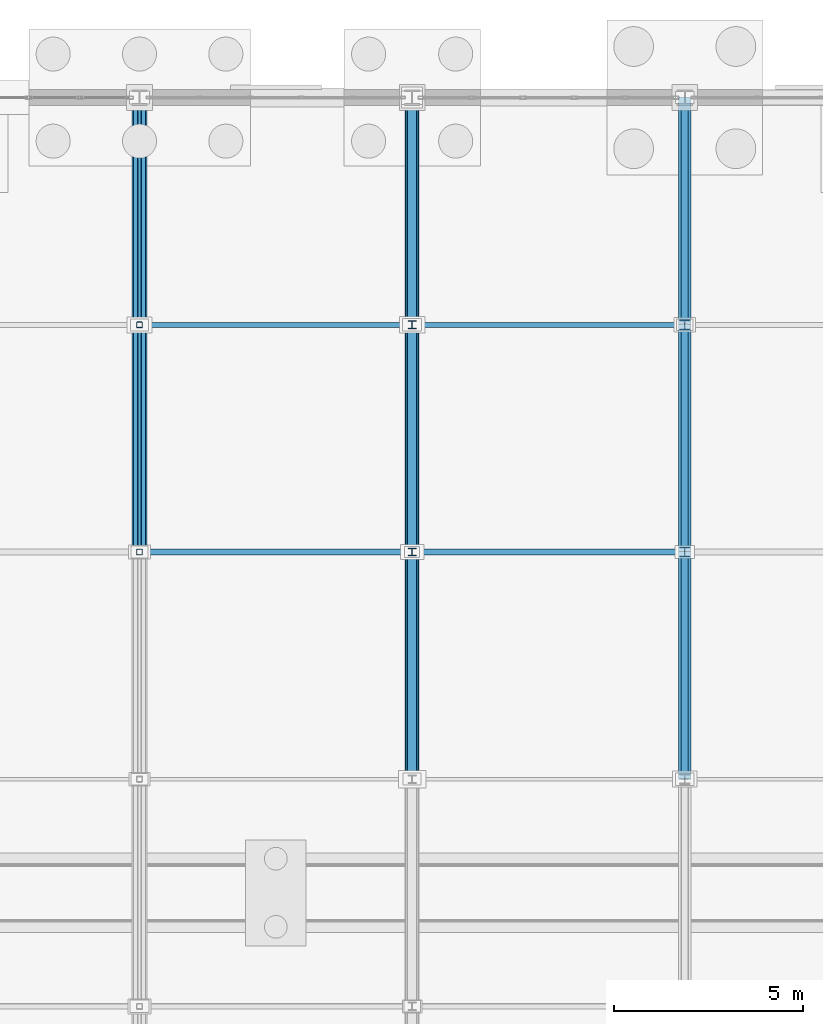
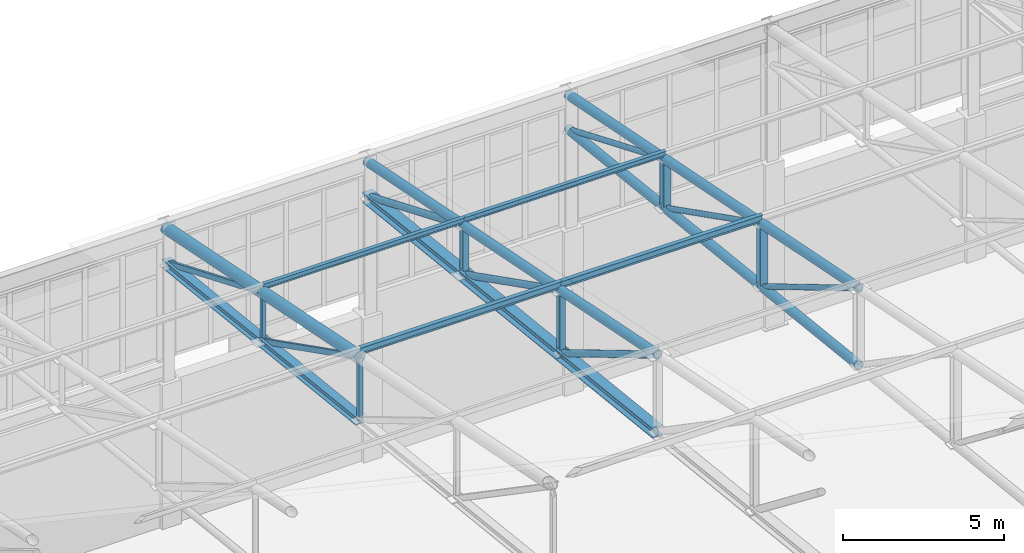
# One storey, part 206 of 293: 34 members.
"""IFC4 building model written with IfcOpenShell, lengths in metres."""

import ifcopenshell
import ifcopenshell.guid

model = None  # the IFC model being written
_history = None  # IfcOwnerHistory: only IFC2X3 demands one
_inside = {}  # id of a spatial element -> (the spatial element, [elements in it])
_under = {}  # id of a project, library or spatial element -> (it, [spatial elements below it])
_declared = {}  # id of a project -> (the project, [libraries it declares])
_typed = {}  # id of a type object -> (the type object, [elements of that type])
_made_of = {}  # id of a material, layer set ... -> (it, [elements and type objects made of it])


def new_model(schema):
    """Start an empty IFC model of exactly this schema.

    Asked for "IFC4X3", IfcOpenShell would pick the latest addendum, in which some entities
    have other attributes; the version numbers below select the first issue.
    IFC2X3 requires an IfcOwnerHistory on every rooted entity: one is made here for all.
    """
    global model, _history
    if schema == "IFC4X3":
        model = ifcopenshell.file(schema_version=(4, 3, 0, 0))
    else:
        model = ifcopenshell.file(schema=schema)
    _inside.clear()
    _under.clear()
    _declared.clear()
    _typed.clear()
    _made_of.clear()
    _history = None
    if model.schema == "IFC2X3":
        org = make("IfcOrganization", Name="unknown")
        user = make(
            "IfcPersonAndOrganization",
            ThePerson=make("IfcPerson", FamilyName="unknown"),
            TheOrganization=org,
        )
        app = make(
            "IfcApplication",
            ApplicationDeveloper=org,
            Version="unknown",
            ApplicationFullName="unknown",
            ApplicationIdentifier="unknown",
        )
        _history = make(
            "IfcOwnerHistory",
            OwningUser=user,
            OwningApplication=app,
            ChangeAction="ADDED",
            CreationDate=0,
        )
    return model


def make(cls, **values):
    """One entity of the class cls with the attributes given. An attribute that is None is left unset."""
    return model.create_entity(
        cls, **{name: value for name, value in values.items() if value is not None}
    )


def rooted(cls, **values):
    """An entity with a GlobalId (a new one), such as an element, a storey or a relation."""
    return make(cls, GlobalId=ifcopenshell.guid.new(), OwnerHistory=_history, **values)


def si_unit(unit_type, name, prefix=None):
    """IfcSIUnit, for example si_unit("LENGTHUNIT", "METRE", prefix="MILLI")."""
    return make("IfcSIUnit", UnitType=unit_type, Prefix=prefix, Name=name)


def assignment(units):
    """IfcUnitAssignment: the units of a project."""
    return None if units is None else make("IfcUnitAssignment", Units=units)


def point(xyz):
    """IfcCartesianPoint."""
    return None if xyz is None else make("IfcCartesianPoint", Coordinates=xyz)


def direction(xyz):
    """IfcDirection."""
    return None if xyz is None else make("IfcDirection", DirectionRatios=xyz)


def frame(location, z_axis=None, x_axis=None):
    """IfcAxis2Placement3D, a coordinate frame: its origin and axes. An axis left out is left unset."""
    return make(
        "IfcAxis2Placement3D",
        Location=point(location),
        Axis=direction(z_axis),
        RefDirection=direction(x_axis),
    )


def frame_2d(location, x_axis=None):
    """IfcAxis2Placement2D, a coordinate frame in the plane: its origin and x axis."""
    return make(
        "IfcAxis2Placement2D", Location=point(location), RefDirection=direction(x_axis)
    )


def origin():
    """The frame at (0, 0, 0) with its axes left unset."""
    return frame((0.0, 0.0, 0.0))


def origin_2d():
    """The frame at (0, 0) in the plane with its x axis left unset."""
    return frame_2d((0.0, 0.0))


def place(relative_to, where):
    """IfcLocalPlacement: puts the frame where relative to a parent placement (None: the world)."""
    return make(
        "IfcLocalPlacement", PlacementRelTo=relative_to, RelativePlacement=where
    )


def context(
    kind, dimensions, precision=None, world=None, true_north=None, identifier=None
):
    """IfcGeometricRepresentationContext, for example the 3D "Model" context."""
    return make(
        "IfcGeometricRepresentationContext",
        ContextIdentifier=identifier,
        ContextType=kind,
        CoordinateSpaceDimension=dimensions,
        Precision=precision,
        WorldCoordinateSystem=world,
        TrueNorth=true_north,
    )


def subcontext(parent, identifier, kind, view, scale=None):
    """IfcGeometricRepresentationSubContext, for example "Body" below "Model"."""
    return make(
        "IfcGeometricRepresentationSubContext",
        ContextIdentifier=identifier,
        ContextType=kind,
        ParentContext=parent,
        TargetScale=scale,
        TargetView=view,
    )


def project(units=None, contexts=None):
    """IfcProject with its units and contexts."""
    return rooted(
        "IfcProject",
        Name="project",
        RepresentationContexts=contexts,
        UnitsInContext=assignment(units),
    )


def spatial(cls, under=None, at=None, **own):
    """A site, building, storey or space (cls), placed at a placement, below another one or the project."""
    s = rooted(cls, ObjectPlacement=at, **own)
    if under is not None:
        _under.setdefault(under.id(), (under, []))[1].append(s)
    return s


def profile(cls, at=None, kind="AREA", **sizes):
    """A parametric profile (cls). Its sizes go by their IFC names, for example OverallWidth=200.0."""
    return make(cls, ProfileType=kind, Position=at, **sizes)


def hollow_rectangle(**sizes):
    """IfcRectangleHollowProfileDef."""
    return profile("IfcRectangleHollowProfileDef", **sizes)


def hollow_circle(**sizes):
    """IfcCircleHollowProfileDef."""
    return profile("IfcCircleHollowProfileDef", **sizes)


def i_section(**sizes):
    """IfcIShapeProfileDef."""
    return profile("IfcIShapeProfileDef", **sizes)


def extrude(swept, where, along, depth):
    """IfcExtrudedAreaSolid: the profile swept, set in the frame where, extruded along a direction by depth."""
    return make(
        "IfcExtrudedAreaSolid",
        SweptArea=swept,
        Position=where,
        ExtrudedDirection=direction(along),
        Depth=depth,
    )


def shape(context_of_items, identifier, shape_type, items):
    """IfcShapeRepresentation: the items that make up one representation, for example the "Body"."""
    return make(
        "IfcShapeRepresentation",
        ContextOfItems=context_of_items,
        RepresentationIdentifier=identifier,
        RepresentationType=shape_type,
        Items=items,
    )


def material(Name=None, Category=None):
    """IfcMaterial."""
    return make("IfcMaterial", Name=Name, Category=Category)


def material_profile(
    of_material, cross_section, Name=None, Category=None, Priority=None
):
    """IfcMaterialProfile: a cross section and its material."""
    return make(
        "IfcMaterialProfile",
        Name=Name,
        Material=of_material,
        Profile=cross_section,
        Priority=Priority,
        Category=Category,
    )


def profile_set(profiles, Name=None, composite=None):
    """IfcMaterialProfileSet."""
    return make(
        "IfcMaterialProfileSet",
        Name=Name,
        MaterialProfiles=profiles,
        CompositeProfile=composite,
    )


def made_of(thing, what):
    """Note that an element or type object is made of a material, layer set ...; save() writes the relation."""
    if what is not None:
        _made_of.setdefault(what.id(), (what, []))[1].append(thing)
    return thing


def type_object(cls, material=None, **own):
    """A type object (cls), such as IfcWallType, which elements share."""
    return made_of(rooted(cls, **own), material)


def element(
    cls,
    number,
    at=None,
    inside=None,
    cuts=None,
    type_object=None,
    material=None,
    context=None,
    identifier="Body",
    shape_type=None,
    held_by="IfcProductDefinitionShape",
    body=None,
    shapes=None,
    **own,
):
    """One element of the class cls, such as IfcWall. Its Tag is "e" and its number.

    at: its placement. inside: the storey or other place that contains it. cuts: it is an
    opening in that element (IfcRelVoidsElement). A single representation is given by context,
    identifier, shape_type and body (its items); several are given by shapes. held_by: the class
    of the entity that holds the representations. save() writes the other relations.
    """
    e = rooted(cls, Tag="e%d" % number, ObjectPlacement=at, **own)
    if body is not None:
        shapes = [shape(context, identifier, shape_type, body)]
    if shapes is not None:
        e.Representation = make(held_by, Representations=shapes)
    if inside is not None:
        _inside.setdefault(inside.id(), (inside, []))[1].append(e)
    if cuts is not None:
        rooted(
            "IfcRelVoidsElement", RelatingBuildingElement=cuts, RelatedOpeningElement=e
        )
    if type_object is not None:
        _typed.setdefault(type_object.id(), (type_object, []))[1].append(e)
    return made_of(e, material)


def aggregate(whole, parts):
    """IfcRelAggregates: a whole, such as a stair, and the parts it consists of."""
    return rooted("IfcRelAggregates", RelatingObject=whole, RelatedObjects=parts)


def save(model, path):
    """Write the relations noted so far, then the file.

    IfcRelAggregates (storeys below a building ...), IfcRelContainedInSpatialStructure (elements
    in a storey), IfcRelDefinesByType, IfcRelAssociatesMaterial and IfcRelDeclares: one each for
    every whole, place, type object, material and project.
    """
    for whole, parts in _under.values():
        aggregate(whole, parts)
    for where, things in _inside.values():
        rooted(
            "IfcRelContainedInSpatialStructure",
            RelatedElements=things,
            RelatingStructure=where,
        )
    for kind, things in _typed.values():
        rooted("IfcRelDefinesByType", RelatedObjects=things, RelatingType=kind)
    for what, things in _made_of.values():
        rooted("IfcRelAssociatesMaterial", RelatedObjects=things, RelatingMaterial=what)
    for by, libraries in _declared.values():
        rooted("IfcRelDeclares", RelatingContext=by, RelatedDefinitions=libraries)
    model.write(path)


model = new_model("IFC4")

# Units and contexts
model_context = context("Model", 3, precision=1e-05, world=origin(), true_north=direction((0.0, 1.0)))
body_context = subcontext(model_context, "Body", "Model", "MODEL_VIEW")
ifc_project = project(units=[si_unit("LENGTHUNIT", "METRE"), si_unit("AREAUNIT", "SQUARE_METRE"), si_unit("VOLUMEUNIT", "CUBIC_METRE"), si_unit("PLANEANGLEUNIT", "RADIAN"), si_unit("MASSUNIT", "GRAM", prefix="KILO")], contexts=[model_context])

# Site, building, storey
site_placement = place(None, origin())
site = spatial("IfcSite", under=ifc_project, at=site_placement, CompositionType="ELEMENT")
building_placement = place(site_placement, origin())
building = spatial("IfcBuilding", under=site, at=building_placement, Name="Kemerveld Promenade Tramway Depot", CompositionType="ELEMENT")
storey_placement = place(building_placement, origin())
storey = spatial("IfcBuildingStorey", under=building, at=storey_placement, Name="L00", CompositionType="ELEMENT", Elevation=0.0)

# Members
ifc_material = material(Name="Steel S355", Category="steel")
ifc_material_profile_1 = material_profile(ifc_material, hollow_rectangle(XDim=0.10009765625, YDim=0.199951171875, WallThickness=0.008056640625, InnerFilletRadius=0.00390625, OuterFilletRadius=0.011962890625, at=origin_2d()), Name="200x100x8.0 RHS")
ifc_profile_set_1 = profile_set([ifc_material_profile_1], Name="Steel S355")
member_type_1 = type_object("IfcMemberType", Name="MB-M03", PredefinedType="BRACE", material=ifc_profile_set_1)
member_1_placement = place(storey_placement, frame((79.199951171875, 138.0, 10.4599609375), z_axis=(0.0, -0.892033434612, 0.451969414379), x_axis=(1.0, 0.0, 0.0)))
element("IfcMember", 1, at=member_1_placement, inside=storey, type_object=member_type_1, Name="TR-12-DG-09", PredefinedType="BRACE", context=body_context, shape_type="SweptSolid", body=[
    extrude(hollow_rectangle(XDim=0.10009765625, YDim=0.199951171875, WallThickness=0.008056640625, InnerFilletRadius=0.00390625, OuterFilletRadius=0.011962890625, at=origin_2d()), origin(), (0.0, 0.0, 1.0), 6.726318359375),
])
member_2_placement = place(storey_placement, frame((79.199951171875, 144.0, 9.800048828125), z_axis=(0.0, -0.923076923077, 0.384615384615), x_axis=(1.0, 0.0, 0.0)))
element("IfcMember", 2, at=member_2_placement, inside=storey, type_object=member_type_1, Name="TR-12-DG-10", PredefinedType="BRACE", context=body_context, shape_type="SweptSolid", body=[
    extrude(hollow_rectangle(XDim=0.10009765625, YDim=0.199951171875, WallThickness=0.008056640625, InnerFilletRadius=0.00390625, OuterFilletRadius=0.011962890625, at=origin_2d()), origin(), (0.0, 0.0, 1.0), 6.5),
])
ifc_material_profile_2 = material_profile(ifc_material, i_section(OverallWidth=0.25634765625, OverallDepth=0.26025390625, WebThickness=0.01025390625, FlangeThickness=0.017333984375, FilletRadius=0.0126953125, at=origin_2d()), Name="254x254x89 UC")
ifc_profile_set_2 = profile_set([ifc_material_profile_2], Name="Steel S355")
member_type_2 = type_object("IfcMemberType", Name="MB-M04", PredefinedType="POST", material=ifc_profile_set_2)
member_3_placement = place(storey_placement, frame((93.60009765625, 132.0, 11.1201171875), z_axis=(0.0, 0.0, 1.0), x_axis=(1.0, 0.0, 0.0)))
element("IfcMember", 3, at=member_3_placement, inside=storey, type_object=member_type_2, Name="TR-14-VT-08", PredefinedType="POST", context=body_context, shape_type="SweptSolid", body=[
    extrude(i_section(OverallWidth=0.25634765625, OverallDepth=0.26025390625, WebThickness=0.01025390625, FlangeThickness=0.017333984375, FilletRadius=0.0126953125, at=origin_2d()), origin(), (0.0, 0.0, 1.0), 2.3798828125),
])
member_4_placement = place(storey_placement, frame((93.60009765625, 138.0, 10.4599609375), z_axis=(0.0, 0.0, 1.0), x_axis=(1.0, 0.0, 0.0)))
element("IfcMember", 4, at=member_4_placement, inside=storey, type_object=member_type_2, Name="TR-14-VT-09", PredefinedType="POST", context=body_context, shape_type="SweptSolid", body=[
    extrude(i_section(OverallWidth=0.25634765625, OverallDepth=0.26025390625, WebThickness=0.01025390625, FlangeThickness=0.017333984375, FilletRadius=0.0126953125, at=origin_2d()), origin(), (0.0, 0.0, 1.0), 1.840087890625),
])
ifc_material_profile_3 = material_profile(ifc_material, i_section(OverallWidth=0.37255859375, OverallDepth=0.3681640625, WebThickness=0.014404296875, FlangeThickness=0.023681640625, FilletRadius=0.01513671875, at=origin_2d()), Name="356x368x177 UC")
ifc_profile_set_3 = profile_set([ifc_material_profile_3], Name="Steel S355")
member_type_3 = type_object("IfcMemberType", Name="MB-M08", PredefinedType="CHORD", material=ifc_profile_set_3)
for number, where, z_axis, x_axis, name in (
    (5, (86.39990234375, 126.0, 11.780029296875), (0.0, 0.994005938353, -0.109326092585), (-1.0, 0.0, 0.0), "TR-13-BC-08"),
    (6, (86.39990234375, 132.0, 11.1201171875), (0.0, 0.994001542248, -0.109366055104), (-1.0, 0.0, 0.0), "TR-13-BC-09"),
    (7, (86.39990234375, 138.0, 10.4599609375), (0.0, 0.994005938353, -0.109326092585), (-1.0, 0.0, 0.0), "TR-13-BC-10"),
):
    element("IfcMember", number, at=place(storey_placement, frame(where, z_axis=z_axis, x_axis=x_axis)), inside=storey, type_object=member_type_3, Name=name, PredefinedType="CHORD", context=body_context, shape_type="SweptSolid", body=[
        extrude(i_section(OverallWidth=0.37255859375, OverallDepth=0.3681640625, WebThickness=0.014404296875, FlangeThickness=0.023681640625, FilletRadius=0.01513671875, at=origin_2d()), origin(), (0.0, 0.0, 1.0), 6.0361328125),
    ])
ifc_material_profile_4 = material_profile(ifc_material, i_section(OverallWidth=0.146484375, OverallDepth=0.256103515625, WebThickness=0.00634765625, FlangeThickness=0.010986328125, FilletRadius=0.007568359375, at=origin_2d()), Name="254x146x37 UB")
ifc_profile_set_4 = profile_set([ifc_material_profile_4], Name="Steel S355")
member_type_4 = type_object("IfcMemberType", Name="MB-PR3", PredefinedType="PURLIN", material=ifc_profile_set_4)
member_5_placement = place(storey_placement, frame((79.199951171875, 132.0, 13.7451171875), z_axis=(1.0, 0.0, 0.0), x_axis=(0.0, 1.0, 0.0)))
element("IfcMember", 8, at=member_5_placement, inside=storey, type_object=member_type_4, Name="PUR-V1-08-12", PredefinedType="PURLIN", context=body_context, shape_type="SweptSolid", body=[
    extrude(i_section(OverallWidth=0.146484375, OverallDepth=0.256103515625, WebThickness=0.00634765625, FlangeThickness=0.010986328125, FilletRadius=0.007568359375, at=origin_2d()), origin(), (0.0, 0.0, 1.0), 7.199951171875),
])
member_6_placement = place(storey_placement, frame((86.39990234375, 132.0, 13.7451171875), z_axis=(1.0, 0.0, 0.0), x_axis=(0.0, 1.0, 0.0)))
element("IfcMember", 9, at=member_6_placement, inside=storey, type_object=member_type_4, Name="PUR-V1-08-13", PredefinedType="PURLIN", context=body_context, shape_type="SweptSolid", body=[
    extrude(i_section(OverallWidth=0.146484375, OverallDepth=0.256103515625, WebThickness=0.00634765625, FlangeThickness=0.010986328125, FilletRadius=0.007568359375, at=origin_2d()), origin(), (0.0, 0.0, 1.0), 7.2001953125),
])
ifc_material_profile_5 = material_profile(ifc_material, i_section(OverallWidth=0.13330078125, OverallDepth=0.203125, WebThickness=0.005615234375, FlangeThickness=0.0078125, FilletRadius=0.007568359375, at=origin_2d()), Name="203x133x25 UB")
ifc_profile_set_5 = profile_set([ifc_material_profile_5], Name="Steel S355")
member_type_5 = type_object("IfcMemberType", Name="MB-PR4", PredefinedType="PURLIN", material=ifc_profile_set_5)
member_7_placement = place(storey_placement, frame((79.199951171875, 138.0, 12.544921875), z_axis=(1.0, 0.0, 0.0), x_axis=(0.0, 1.0, 0.0)))
element("IfcMember", 10, at=member_7_placement, inside=storey, type_object=member_type_5, Name="PUR-V1-09-12", PredefinedType="PURLIN", context=body_context, shape_type="SweptSolid", body=[
    extrude(i_section(OverallWidth=0.13330078125, OverallDepth=0.203125, WebThickness=0.005615234375, FlangeThickness=0.0078125, FilletRadius=0.007568359375, at=origin_2d()), origin(), (0.0, 0.0, 1.0), 7.199951171875),
])
member_8_placement = place(storey_placement, frame((86.39990234375, 138.0, 12.544921875), z_axis=(1.0, 0.0, 0.0), x_axis=(0.0, 1.0, 0.0)))
element("IfcMember", 11, at=member_8_placement, inside=storey, type_object=member_type_5, Name="PUR-V1-09-13", PredefinedType="PURLIN", context=body_context, shape_type="SweptSolid", body=[
    extrude(i_section(OverallWidth=0.13330078125, OverallDepth=0.203125, WebThickness=0.005615234375, FlangeThickness=0.0078125, FilletRadius=0.007568359375, at=origin_2d()), origin(), (0.0, 0.0, 1.0), 7.2001953125),
])
ifc_material_profile_6 = material_profile(ifc_material, hollow_circle(Radius=0.122314453125, WallThickness=0.010009765625, at=origin_2d()), Name="244.5x10.0 CHS")
ifc_profile_set_6 = profile_set([ifc_material_profile_6], Name="Steel S355")
member_type_6 = type_object("IfcMemberType", Name="MB-TB1", PredefinedType="BRACE", material=ifc_profile_set_6)
member_9_placement = place(storey_placement, frame((86.39990234375, 132.0, 11.1201171875), z_axis=(0.0, -0.8587636701, 0.512371895128), x_axis=(1.0, 0.0, 0.0)))
element("IfcMember", 12, at=member_9_placement, inside=storey, type_object=member_type_6, Name="TR-13-DG-08", PredefinedType="BRACE", context=body_context, shape_type="SweptSolid", body=[
    extrude(hollow_circle(Radius=0.122314453125, WallThickness=0.010009765625, at=origin_2d()), origin(), (0.0, 0.0, 1.0), 6.98681640625),
])
member_10_placement = place(storey_placement, frame((86.39990234375, 138.0, 10.4599609375), z_axis=(0.0, -0.892033434612, 0.451969414379), x_axis=(1.0, 0.0, 0.0)))
element("IfcMember", 13, at=member_10_placement, inside=storey, type_object=member_type_6, Name="TR-13-DG-09", PredefinedType="BRACE", context=body_context, shape_type="SweptSolid", body=[
    extrude(hollow_circle(Radius=0.122314453125, WallThickness=0.010009765625, at=origin_2d()), origin(), (0.0, 0.0, 1.0), 6.726318359375),
])
member_11_placement = place(storey_placement, frame((86.39990234375, 144.0, 9.800048828125), z_axis=(0.0, -0.923076923077, 0.384615384615), x_axis=(1.0, 0.0, 0.0)))
element("IfcMember", 14, at=member_11_placement, inside=storey, type_object=member_type_6, Name="TR-13-DG-10", PredefinedType="BRACE", context=body_context, shape_type="SweptSolid", body=[
    extrude(hollow_circle(Radius=0.122314453125, WallThickness=0.010009765625, at=origin_2d()), origin(), (0.0, 0.0, 1.0), 6.5),
])
ifc_material_profile_7 = material_profile(ifc_material, hollow_circle(Radius=0.096923828125, WallThickness=0.008056640625, at=origin_2d()), Name="193.7x8.0 CHS")
ifc_profile_set_7 = profile_set([ifc_material_profile_7], Name="Steel S355")
member_type_7 = type_object("IfcMemberType", Name="MB-TB2", PredefinedType="BRACE", material=ifc_profile_set_7)
member_12_placement = place(storey_placement, frame((93.60009765625, 132.0, 11.1201171875), z_axis=(0.0, -0.8587636701, 0.512371895128), x_axis=(1.0, 0.0, 0.0)))
element("IfcMember", 15, at=member_12_placement, inside=storey, type_object=member_type_7, Name="TR-14-DG-08", PredefinedType="BRACE", context=body_context, shape_type="SweptSolid", body=[
    extrude(hollow_circle(Radius=0.096923828125, WallThickness=0.008056640625, at=origin_2d()), origin(), (0.0, 0.0, 1.0), 6.98681640625),
])
member_13_placement = place(storey_placement, frame((93.60009765625, 138.0, 10.4599609375), z_axis=(0.0, -0.892033434612, 0.451969414379), x_axis=(1.0, 0.0, 0.0)))
element("IfcMember", 16, at=member_13_placement, inside=storey, type_object=member_type_7, Name="TR-14-DG-09", PredefinedType="BRACE", context=body_context, shape_type="SweptSolid", body=[
    extrude(hollow_circle(Radius=0.096923828125, WallThickness=0.008056640625, at=origin_2d()), origin(), (0.0, 0.0, 1.0), 6.726318359375),
])
member_14_placement = place(storey_placement, frame((93.60009765625, 144.0, 9.800048828125), z_axis=(0.0, -0.923076923077, 0.384615384615), x_axis=(1.0, 0.0, 0.0)))
element("IfcMember", 17, at=member_14_placement, inside=storey, type_object=member_type_7, Name="TR-14-DG-10", PredefinedType="BRACE", context=body_context, shape_type="SweptSolid", body=[
    extrude(hollow_circle(Radius=0.096923828125, WallThickness=0.008056640625, at=origin_2d()), origin(), (0.0, 0.0, 1.0), 6.5),
])
ifc_material_profile_8 = material_profile(ifc_material, hollow_circle(Radius=0.203125, WallThickness=0.01611328125, at=origin_2d()), Name="406.4x16.0 CHS")
ifc_profile_set_8 = profile_set([ifc_material_profile_8], Name="Steel S355")
member_type_8 = type_object("IfcMemberType", Name="MB-TC1", PredefinedType="CHORD", material=ifc_profile_set_8)
for number, where, z_axis, x_axis, name in (
    (18, (79.199951171875, 132.0, 13.5), (0.0, 0.980582210276, -0.196108462057), (-1.0, 0.0, 0.0), "TR-12-TC-09"),
    (19, (79.199951171875, 138.0, 12.300048828125), (0.0, 0.980582210276, -0.196108462057), (-1.0, 0.0, 0.0), "TR-12-TC-10"),
):
    element("IfcMember", number, at=place(storey_placement, frame(where, z_axis=z_axis, x_axis=x_axis)), inside=storey, type_object=member_type_8, Name=name, PredefinedType="CHORD", context=body_context, shape_type="SweptSolid", body=[
        extrude(hollow_circle(Radius=0.203125, WallThickness=0.01611328125, at=origin_2d()), origin(), (0.0, 0.0, 1.0), 6.118896484375),
    ])
ifc_material_profile_9 = material_profile(ifc_material, hollow_circle(Radius=0.161865234375, WallThickness=0.012451171875, at=origin_2d()), Name="323.9x12.5 CHS")
ifc_profile_set_9 = profile_set([ifc_material_profile_9], Name="Steel S355")
member_type_9 = type_object("IfcMemberType", Name="MB-TC2", PredefinedType="CHORD", material=ifc_profile_set_9)
for number, where, z_axis, x_axis, name in (
    (20, (86.39990234375, 126.0, 14.699951171875), (0.0, 0.980582210276, -0.196108462057), (-1.0, 0.0, 0.0), "TR-13-TC-08"),
    (21, (86.39990234375, 132.0, 13.5), (0.0, 0.980582210276, -0.196108462057), (-1.0, 0.0, 0.0), "TR-13-TC-09"),
    (22, (86.39990234375, 138.0, 12.300048828125), (0.0, 0.980582210276, -0.196108462057), (-1.0, 0.0, 0.0), "TR-13-TC-10"),
    (23, (93.60009765625, 126.0, 14.699951171875), (0.0, 0.980582210276, -0.196108462057), (-1.0, 0.0, 0.0), "TR-14-TC-08"),
):
    element("IfcMember", number, at=place(storey_placement, frame(where, z_axis=z_axis, x_axis=x_axis)), inside=storey, type_object=member_type_9, Name=name, PredefinedType="CHORD", context=body_context, shape_type="SweptSolid", body=[
        extrude(hollow_circle(Radius=0.161865234375, WallThickness=0.012451171875, at=origin_2d()), origin(), (0.0, 0.0, 1.0), 6.118896484375),
    ])
member_15_placement = place(storey_placement, frame((93.60009765625, 126.0, 11.780029296875), z_axis=(0.0, 0.994005938353, -0.109326092585), x_axis=(-1.0, 0.0, 0.0)))
element("IfcMember", 24, at=member_15_placement, inside=storey, type_object=member_type_9, Name="TR-14-BC-08", PredefinedType="CHORD", context=body_context, shape_type="SweptSolid", body=[
    extrude(hollow_circle(Radius=0.161865234375, WallThickness=0.012451171875, at=origin_2d()), origin(), (0.0, 0.0, 1.0), 6.0361328125),
])
member_16_placement = place(storey_placement, frame((93.60009765625, 132.0, 13.5), z_axis=(0.0, 0.980582210276, -0.196108462057), x_axis=(-1.0, 0.0, 0.0)))
element("IfcMember", 25, at=member_16_placement, inside=storey, type_object=member_type_9, Name="TR-14-TC-09", PredefinedType="CHORD", context=body_context, shape_type="SweptSolid", body=[
    extrude(hollow_circle(Radius=0.161865234375, WallThickness=0.012451171875, at=origin_2d()), origin(), (0.0, 0.0, 1.0), 6.118896484375),
])
member_17_placement = place(storey_placement, frame((93.60009765625, 132.0, 11.1201171875), z_axis=(0.0, 0.994001542248, -0.109366055104), x_axis=(-1.0, 0.0, 0.0)))
element("IfcMember", 26, at=member_17_placement, inside=storey, type_object=member_type_9, Name="TR-14-BC-09", PredefinedType="CHORD", context=body_context, shape_type="SweptSolid", body=[
    extrude(hollow_circle(Radius=0.161865234375, WallThickness=0.012451171875, at=origin_2d()), origin(), (0.0, 0.0, 1.0), 6.0361328125),
])
member_18_placement = place(storey_placement, frame((93.60009765625, 138.0, 12.300048828125), z_axis=(0.0, 0.980582210276, -0.196108462057), x_axis=(-1.0, 0.0, 0.0)))
element("IfcMember", 27, at=member_18_placement, inside=storey, type_object=member_type_9, Name="TR-14-TC-10", PredefinedType="CHORD", context=body_context, shape_type="SweptSolid", body=[
    extrude(hollow_circle(Radius=0.161865234375, WallThickness=0.012451171875, at=origin_2d()), origin(), (0.0, 0.0, 1.0), 6.118896484375),
])
member_19_placement = place(storey_placement, frame((93.60009765625, 138.0, 10.4599609375), z_axis=(0.0, 0.994005938353, -0.109326092585), x_axis=(-1.0, 0.0, 0.0)))
element("IfcMember", 28, at=member_19_placement, inside=storey, type_object=member_type_9, Name="TR-14-BC-10", PredefinedType="CHORD", context=body_context, shape_type="SweptSolid", body=[
    extrude(hollow_circle(Radius=0.161865234375, WallThickness=0.012451171875, at=origin_2d()), origin(), (0.0, 0.0, 1.0), 6.0361328125),
])
ifc_material_profile_10 = material_profile(ifc_material, i_section(OverallWidth=0.307373046875, OverallDepth=0.314453125, WebThickness=0.011962890625, FlangeThickness=0.018798828125, FilletRadius=0.01513671875, at=origin_2d()), Name="305x305x118 UC")
ifc_profile_set_10 = profile_set([ifc_material_profile_10], Name="Steel S355")
member_type_10 = type_object("IfcMemberType", Name="MB-TC4", PredefinedType="CHORD", material=ifc_profile_set_10)
for number, where, z_axis, x_axis, name in (
    (29, (79.199951171875, 132.0, 11.1201171875), (0.0, 0.994001542248, -0.109366055104), (-1.0, 0.0, 0.0), "TR-12-BC-09"),
    (30, (79.199951171875, 138.0, 10.4599609375), (0.0, 0.994005938353, -0.109326092585), (-1.0, 0.0, 0.0), "TR-12-BC-10"),
):
    element("IfcMember", number, at=place(storey_placement, frame(where, z_axis=z_axis, x_axis=x_axis)), inside=storey, type_object=member_type_10, Name=name, PredefinedType="CHORD", context=body_context, shape_type="SweptSolid", body=[
        extrude(i_section(OverallWidth=0.307373046875, OverallDepth=0.314453125, WebThickness=0.011962890625, FlangeThickness=0.018798828125, FilletRadius=0.01513671875, at=origin_2d()), origin(), (0.0, 0.0, 1.0), 6.0361328125),
    ])
ifc_material_profile_11 = material_profile(ifc_material, hollow_rectangle(XDim=0.14990234375, YDim=0.14990234375, WallThickness=0.008056640625, InnerFilletRadius=0.00390625, OuterFilletRadius=0.011962890625, at=origin_2d()), Name="150x150x8.0 SHS")
ifc_profile_set_11 = profile_set([ifc_material_profile_11], Name="Steel S355")
member_type_11 = type_object("IfcMemberType", Name="MB-TP2", PredefinedType="POST", material=ifc_profile_set_11)
member_20_placement = place(storey_placement, frame((79.199951171875, 132.0, 11.1201171875), z_axis=(0.0, 0.0, 1.0), x_axis=(1.0, 0.0, 0.0)))
element("IfcMember", 31, at=member_20_placement, inside=storey, type_object=member_type_11, Name="TR-12-VT-08", PredefinedType="POST", context=body_context, shape_type="SweptSolid", body=[
    extrude(hollow_rectangle(XDim=0.14990234375, YDim=0.14990234375, WallThickness=0.008056640625, InnerFilletRadius=0.00390625, OuterFilletRadius=0.011962890625, at=origin_2d()), origin(), (0.0, 0.0, 1.0), 2.3798828125),
])
member_21_placement = place(storey_placement, frame((79.199951171875, 138.0, 10.4599609375), z_axis=(0.0, 0.0, 1.0), x_axis=(1.0, 0.0, 0.0)))
element("IfcMember", 32, at=member_21_placement, inside=storey, type_object=member_type_11, Name="TR-12-VT-09", PredefinedType="POST", context=body_context, shape_type="SweptSolid", body=[
    extrude(hollow_rectangle(XDim=0.14990234375, YDim=0.14990234375, WallThickness=0.008056640625, InnerFilletRadius=0.00390625, OuterFilletRadius=0.011962890625, at=origin_2d()), origin(), (0.0, 0.0, 1.0), 1.840087890625),
])
ifc_material_profile_12 = material_profile(ifc_material, i_section(OverallWidth=0.205810546875, OverallDepth=0.209716796875, WebThickness=0.009521484375, FlangeThickness=0.01416015625, FilletRadius=0.01025390625, at=origin_2d()), Name="203x203x60 UC")
ifc_profile_set_12 = profile_set([ifc_material_profile_12], Name="Steel S355")
member_type_12 = type_object("IfcMemberType", Name="MB-TP3", PredefinedType="POST", material=ifc_profile_set_12)
member_22_placement = place(storey_placement, frame((86.39990234375, 132.0, 11.1201171875), z_axis=(0.0, 0.0, 1.0), x_axis=(1.0, 0.0, 0.0)))
element("IfcMember", 33, at=member_22_placement, inside=storey, type_object=member_type_12, Name="TR-13-VT-08", PredefinedType="POST", context=body_context, shape_type="SweptSolid", body=[
    extrude(i_section(OverallWidth=0.205810546875, OverallDepth=0.209716796875, WebThickness=0.009521484375, FlangeThickness=0.01416015625, FilletRadius=0.01025390625, at=origin_2d()), origin(), (0.0, 0.0, 1.0), 2.3798828125),
])
member_23_placement = place(storey_placement, frame((86.39990234375, 138.0, 10.4599609375), z_axis=(0.0, 0.0, 1.0), x_axis=(1.0, 0.0, 0.0)))
element("IfcMember", 34, at=member_23_placement, inside=storey, type_object=member_type_12, Name="TR-13-VT-09", PredefinedType="POST", context=body_context, shape_type="SweptSolid", body=[
    extrude(i_section(OverallWidth=0.205810546875, OverallDepth=0.209716796875, WebThickness=0.009521484375, FlangeThickness=0.01416015625, FilletRadius=0.01025390625, at=origin_2d()), origin(), (0.0, 0.0, 1.0), 1.840087890625),
])

save(model, "model.ifc")
